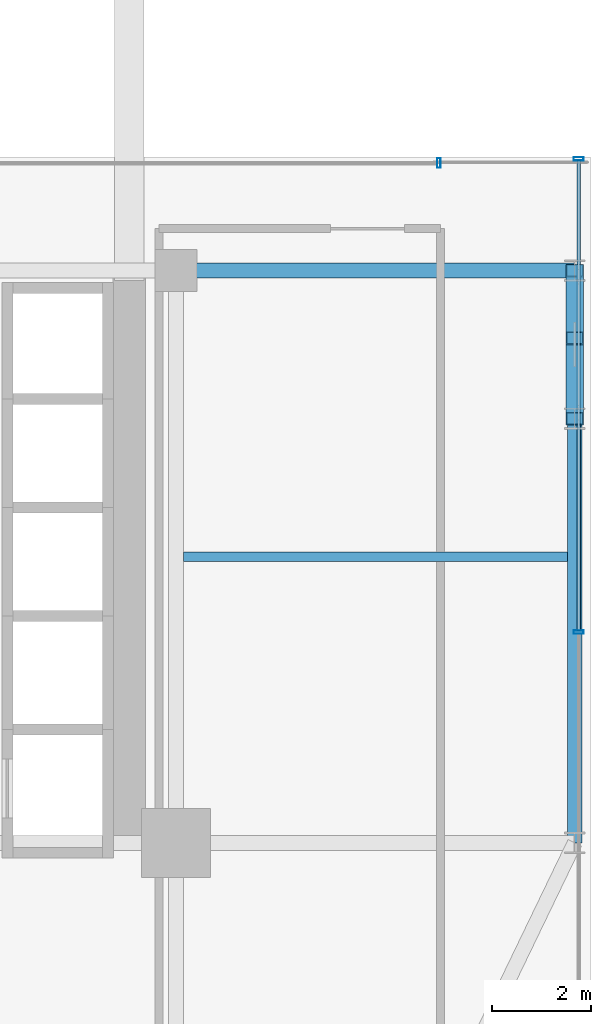
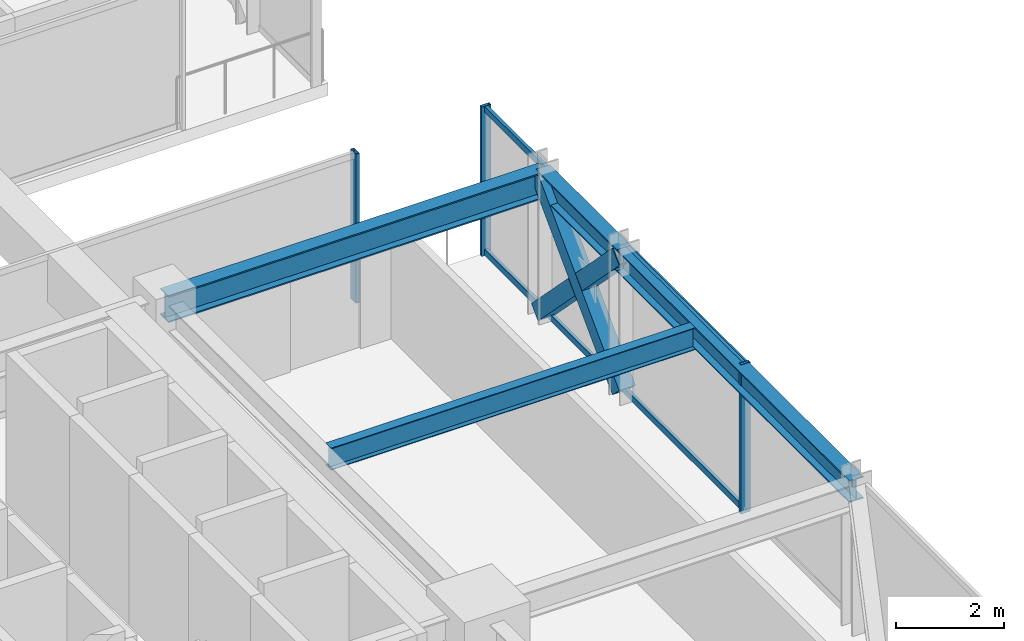
# One storey, part 19 of 38: 8 members, 4 beams, 2 elements without a shape of their own.
"""IFC4 building model written with IfcOpenShell, lengths in metres."""

import ifcopenshell
import ifcopenshell.guid

model = None  # the IFC model being written
_history = None  # IfcOwnerHistory: only IFC2X3 demands one
_inside = {}  # id of a spatial element -> (the spatial element, [elements in it])
_under = {}  # id of a project, library or spatial element -> (it, [spatial elements below it])
_declared = {}  # id of a project -> (the project, [libraries it declares])
_typed = {}  # id of a type object -> (the type object, [elements of that type])
_made_of = {}  # id of a material, layer set ... -> (it, [elements and type objects made of it])


def new_model(schema):
    """Start an empty IFC model of exactly this schema.

    Asked for "IFC4X3", IfcOpenShell would pick the latest addendum, in which some entities
    have other attributes; the version numbers below select the first issue.
    IFC2X3 requires an IfcOwnerHistory on every rooted entity: one is made here for all.
    """
    global model, _history
    if schema == "IFC4X3":
        model = ifcopenshell.file(schema_version=(4, 3, 0, 0))
    else:
        model = ifcopenshell.file(schema=schema)
    _inside.clear()
    _under.clear()
    _declared.clear()
    _typed.clear()
    _made_of.clear()
    _history = None
    if model.schema == "IFC2X3":
        org = make("IfcOrganization", Name="unknown")
        user = make(
            "IfcPersonAndOrganization",
            ThePerson=make("IfcPerson", FamilyName="unknown"),
            TheOrganization=org,
        )
        app = make(
            "IfcApplication",
            ApplicationDeveloper=org,
            Version="unknown",
            ApplicationFullName="unknown",
            ApplicationIdentifier="unknown",
        )
        _history = make(
            "IfcOwnerHistory",
            OwningUser=user,
            OwningApplication=app,
            ChangeAction="ADDED",
            CreationDate=0,
        )
    return model


def make(cls, **values):
    """One entity of the class cls with the attributes given. An attribute that is None is left unset."""
    return model.create_entity(
        cls, **{name: value for name, value in values.items() if value is not None}
    )


def rooted(cls, **values):
    """An entity with a GlobalId (a new one), such as an element, a storey or a relation."""
    return make(cls, GlobalId=ifcopenshell.guid.new(), OwnerHistory=_history, **values)


def si_unit(unit_type, name, prefix=None):
    """IfcSIUnit, for example si_unit("LENGTHUNIT", "METRE", prefix="MILLI")."""
    return make("IfcSIUnit", UnitType=unit_type, Prefix=prefix, Name=name)


def assignment(units):
    """IfcUnitAssignment: the units of a project."""
    return None if units is None else make("IfcUnitAssignment", Units=units)


def point(xyz):
    """IfcCartesianPoint."""
    return None if xyz is None else make("IfcCartesianPoint", Coordinates=xyz)


def direction(xyz):
    """IfcDirection."""
    return None if xyz is None else make("IfcDirection", DirectionRatios=xyz)


def frame(location, z_axis=None, x_axis=None):
    """IfcAxis2Placement3D, a coordinate frame: its origin and axes. An axis left out is left unset."""
    return make(
        "IfcAxis2Placement3D",
        Location=point(location),
        Axis=direction(z_axis),
        RefDirection=direction(x_axis),
    )


def frame_2d(location, x_axis=None):
    """IfcAxis2Placement2D, a coordinate frame in the plane: its origin and x axis."""
    return make(
        "IfcAxis2Placement2D", Location=point(location), RefDirection=direction(x_axis)
    )


def origin():
    """The frame at (0, 0, 0) with its axes left unset."""
    return frame((0.0, 0.0, 0.0))


def origin_2d():
    """The frame at (0, 0) in the plane with its x axis left unset."""
    return frame_2d((0.0, 0.0))


def place(relative_to, where):
    """IfcLocalPlacement: puts the frame where relative to a parent placement (None: the world)."""
    return make(
        "IfcLocalPlacement", PlacementRelTo=relative_to, RelativePlacement=where
    )


def context(
    kind, dimensions, precision=None, world=None, true_north=None, identifier=None
):
    """IfcGeometricRepresentationContext, for example the 3D "Model" context."""
    return make(
        "IfcGeometricRepresentationContext",
        ContextIdentifier=identifier,
        ContextType=kind,
        CoordinateSpaceDimension=dimensions,
        Precision=precision,
        WorldCoordinateSystem=world,
        TrueNorth=true_north,
    )


def subcontext(parent, identifier, kind, view, scale=None):
    """IfcGeometricRepresentationSubContext, for example "Body" below "Model"."""
    return make(
        "IfcGeometricRepresentationSubContext",
        ContextIdentifier=identifier,
        ContextType=kind,
        ParentContext=parent,
        TargetScale=scale,
        TargetView=view,
    )


def project(units=None, contexts=None):
    """IfcProject with its units and contexts."""
    return rooted(
        "IfcProject",
        Name="project",
        RepresentationContexts=contexts,
        UnitsInContext=assignment(units),
    )


def spatial(cls, under=None, at=None, **own):
    """A site, building, storey or space (cls), placed at a placement, below another one or the project."""
    s = rooted(cls, ObjectPlacement=at, **own)
    if under is not None:
        _under.setdefault(under.id(), (under, []))[1].append(s)
    return s


def profile(cls, at=None, kind="AREA", **sizes):
    """A parametric profile (cls). Its sizes go by their IFC names, for example OverallWidth=200.0."""
    return make(cls, ProfileType=kind, Position=at, **sizes)


def hollow_rectangle(**sizes):
    """IfcRectangleHollowProfileDef."""
    return profile("IfcRectangleHollowProfileDef", **sizes)


def i_section(**sizes):
    """IfcIShapeProfileDef."""
    return profile("IfcIShapeProfileDef", **sizes)


def extrude(swept, where, along, depth):
    """IfcExtrudedAreaSolid: the profile swept, set in the frame where, extruded along a direction by depth."""
    return make(
        "IfcExtrudedAreaSolid",
        SweptArea=swept,
        Position=where,
        ExtrudedDirection=direction(along),
        Depth=depth,
    )


def shape(context_of_items, identifier, shape_type, items):
    """IfcShapeRepresentation: the items that make up one representation, for example the "Body"."""
    return make(
        "IfcShapeRepresentation",
        ContextOfItems=context_of_items,
        RepresentationIdentifier=identifier,
        RepresentationType=shape_type,
        Items=items,
    )


def source(mapping_origin, context_of_items, identifier, shape_type, items):
    """IfcRepresentationMap: a shape defined once, which mapped items show again and again."""
    return make(
        "IfcRepresentationMap",
        MappingOrigin=mapping_origin,
        MappedRepresentation=shape(context_of_items, identifier, shape_type, items),
    )


def transform(
    local_origin,
    x_axis=None,
    y_axis=None,
    z_axis=None,
    scale=None,
    scale2=None,
    scale3=None,
    uniform=True,
):
    """IfcCartesianTransformationOperator3D, or its non-uniform kind. x_axis, y_axis, z_axis: its Axis1, 2, 3."""
    if uniform:
        return make(
            "IfcCartesianTransformationOperator3D",
            Axis1=direction(x_axis),
            Axis2=direction(y_axis),
            LocalOrigin=point(local_origin),
            Scale=scale,
            Axis3=direction(z_axis),
        )
    return make(
        "IfcCartesianTransformationOperator3DnonUniform",
        Axis1=direction(x_axis),
        Axis2=direction(y_axis),
        LocalOrigin=point(local_origin),
        Scale=scale,
        Axis3=direction(z_axis),
        Scale2=scale2,
        Scale3=scale3,
    )


def mapped(mapping_source, mapping_target):
    """IfcMappedItem: shows the shape of a source again, moved by a transform."""
    return make(
        "IfcMappedItem", MappingSource=mapping_source, MappingTarget=mapping_target
    )


def material(Name=None, Category=None):
    """IfcMaterial."""
    return make("IfcMaterial", Name=Name, Category=Category)


def material_profile(
    of_material, cross_section, Name=None, Category=None, Priority=None
):
    """IfcMaterialProfile: a cross section and its material."""
    return make(
        "IfcMaterialProfile",
        Name=Name,
        Material=of_material,
        Profile=cross_section,
        Priority=Priority,
        Category=Category,
    )


def profile_set(profiles, Name=None, composite=None):
    """IfcMaterialProfileSet."""
    return make(
        "IfcMaterialProfileSet",
        Name=Name,
        MaterialProfiles=profiles,
        CompositeProfile=composite,
    )


def made_of(thing, what):
    """Note that an element or type object is made of a material, layer set ...; save() writes the relation."""
    if what is not None:
        _made_of.setdefault(what.id(), (what, []))[1].append(thing)
    return thing


def type_object(cls, material=None, **own):
    """A type object (cls), such as IfcWallType, which elements share."""
    return made_of(rooted(cls, **own), material)


def element(
    cls,
    number,
    at=None,
    inside=None,
    cuts=None,
    type_object=None,
    material=None,
    context=None,
    identifier="Body",
    shape_type=None,
    held_by="IfcProductDefinitionShape",
    body=None,
    shapes=None,
    **own,
):
    """One element of the class cls, such as IfcWall. Its Tag is "e" and its number.

    at: its placement. inside: the storey or other place that contains it. cuts: it is an
    opening in that element (IfcRelVoidsElement). A single representation is given by context,
    identifier, shape_type and body (its items); several are given by shapes. held_by: the class
    of the entity that holds the representations. save() writes the other relations.
    """
    e = rooted(cls, Tag="e%d" % number, ObjectPlacement=at, **own)
    if body is not None:
        shapes = [shape(context, identifier, shape_type, body)]
    if shapes is not None:
        e.Representation = make(held_by, Representations=shapes)
    if inside is not None:
        _inside.setdefault(inside.id(), (inside, []))[1].append(e)
    if cuts is not None:
        rooted(
            "IfcRelVoidsElement", RelatingBuildingElement=cuts, RelatedOpeningElement=e
        )
    if type_object is not None:
        _typed.setdefault(type_object.id(), (type_object, []))[1].append(e)
    return made_of(e, material)


def aggregate(whole, parts):
    """IfcRelAggregates: a whole, such as a stair, and the parts it consists of."""
    return rooted("IfcRelAggregates", RelatingObject=whole, RelatedObjects=parts)


def save(model, path):
    """Write the relations noted so far, then the file.

    IfcRelAggregates (storeys below a building ...), IfcRelContainedInSpatialStructure (elements
    in a storey), IfcRelDefinesByType, IfcRelAssociatesMaterial and IfcRelDeclares: one each for
    every whole, place, type object, material and project.
    """
    for whole, parts in _under.values():
        aggregate(whole, parts)
    for where, things in _inside.values():
        rooted(
            "IfcRelContainedInSpatialStructure",
            RelatedElements=things,
            RelatingStructure=where,
        )
    for kind, things in _typed.values():
        rooted("IfcRelDefinesByType", RelatedObjects=things, RelatingType=kind)
    for what, things in _made_of.values():
        rooted("IfcRelAssociatesMaterial", RelatedObjects=things, RelatingMaterial=what)
    for by, libraries in _declared.values():
        rooted("IfcRelDeclares", RelatingContext=by, RelatedDefinitions=libraries)
    model.write(path)


model = new_model("IFC4")

# Units and contexts
model_context = context("Model", 3, precision=1e-05, world=origin(), true_north=direction((0.0, 1.0)))
body_context = subcontext(model_context, "Body", "Model", "MODEL_VIEW")
ifc_project = project(units=[si_unit("LENGTHUNIT", "METRE"), si_unit("AREAUNIT", "SQUARE_METRE"), si_unit("VOLUMEUNIT", "CUBIC_METRE"), si_unit("PLANEANGLEUNIT", "RADIAN"), si_unit("MASSUNIT", "GRAM", prefix="KILO")], contexts=[model_context])

# Site, building, storey
site_placement = place(None, origin())
site = spatial("IfcSite", under=ifc_project, at=site_placement, CompositionType="ELEMENT")
building_placement = place(site_placement, origin())
building = spatial("IfcBuilding", under=site, at=building_placement, Name="Nahalor Promenade Grand Hotel", CompositionType="ELEMENT")
storey_placement = place(building_placement, frame((0.0, 0.0, 50.64990234375)))
storey = spatial("IfcBuildingStorey", under=building, at=storey_placement, Name="L11", CompositionType="ELEMENT", Elevation=50.64990234375)

# Beams
ifc_material_1 = material(Name="Steel S355JR", Category="steel")
ifc_material_profile_1 = material_profile(ifc_material_1, i_section(OverallWidth=0.3, OverallDepth=0.5, WebThickness=0.0145, FlangeThickness=0.028, at=origin_2d()), Name="HEB 500")
ifc_profile_set_1 = profile_set([ifc_material_profile_1], Name="Steel S355JR")
beam_type_1 = type_object("IfcBeamType", Name="Beam-Spandrel-HEB500", PredefinedType="SPANDREL", material=ifc_profile_set_1)
shared_shape_1 = source(origin(), body_context, "Body", "SweptSolid", [
    extrude(i_section(OverallWidth=0.3, OverallDepth=0.5, WebThickness=0.0145, FlangeThickness=0.028, at=origin_2d()), origin(), (0.0, 0.0, 1.0), 8.60009765625),
])
beam_1_placement = place(storey_placement, frame((25.080078125, -17.0, 3.1201171875), z_axis=(0.0, 1.0, 0.0), x_axis=(-1.0, 0.0, 0.0)))
element("IfcBeam", 1, at=beam_1_placement, inside=storey, type_object=beam_type_1, Name="BM-L11-SP-E-0", PredefinedType="SPANDREL", context=body_context, shape_type="MappedRepresentation", body=[
    mapped(shared_shape_1, transform((0.0, 0.0, 0.0), scale=1.0)),
])
shared_shape_2 = source(origin(), body_context, "Body", "SweptSolid", [
    extrude(i_section(OverallWidth=0.3, OverallDepth=0.5, WebThickness=0.0145, FlangeThickness=0.028, at=origin_2d()), origin(), (0.0, 0.0, 1.0), 3.0),
])
beam_2_placement = place(storey_placement, frame((25.080078125, -8.39990234375, 3.1201171875), z_axis=(0.0, 1.0, 0.0), x_axis=(-1.0, 0.0, 0.0)))
element("IfcBeam", 2, at=beam_2_placement, inside=storey, type_object=beam_type_1, Name="BM-L11-SP-E-1", PredefinedType="SPANDREL", context=body_context, shape_type="MappedRepresentation", body=[
    mapped(shared_shape_2, transform((0.0, 0.0, 0.0), scale=1.0)),
])
ifc_material_profile_2 = material_profile(ifc_material_1, i_section(OverallWidth=0.3, OverallDepth=0.6, WebThickness=0.0155, FlangeThickness=0.03, at=origin_2d()), Name="HEB 600")
ifc_profile_set_2 = profile_set([ifc_material_profile_2], Name="Steel S355JR")
beam_type_2 = type_object("IfcBeamType", Name="Beam-Girder-HEB600", PredefinedType="BEAM", material=ifc_profile_set_2)
shared_shape_3 = source(origin(), body_context, "Body", "SweptSolid", [
    extrude(i_section(OverallWidth=0.3, OverallDepth=0.6, WebThickness=0.0155, FlangeThickness=0.03, at=origin_2d()), origin(), (0.0, 0.0, 1.0), 8.080078125),
])
beam_3_placement = place(storey_placement, frame((17.0, -5.39990234375, 3.070068359375), z_axis=(1.0, 0.0, 0.0), x_axis=(0.0, 1.0, 0.0)))
element("IfcBeam", 3, at=beam_3_placement, inside=storey, type_object=beam_type_2, Name="BM-L11-GX-1-6", PredefinedType="BEAM", context=body_context, shape_type="MappedRepresentation", body=[
    mapped(shared_shape_3, transform((0.0, 0.0, 0.0), scale=1.0)),
])
ifc_material_profile_3 = material_profile(ifc_material_1, i_section(OverallWidth=0.2, OverallDepth=0.5, WebThickness=0.0102, FlangeThickness=0.016, at=origin_2d()), Name="IPE 500")
ifc_profile_set_3 = profile_set([ifc_material_profile_3], Name="Steel S355JR")
beam_type_3 = type_object("IfcBeamType", Name="Beam-Joist-IPE500", PredefinedType="JOIST", material=ifc_profile_set_3)
shared_shape_4 = source(origin(), body_context, "Body", "SweptSolid", [
    extrude(i_section(OverallWidth=0.2, OverallDepth=0.5, WebThickness=0.0102, FlangeThickness=0.016, at=origin_2d()), origin(), (0.0, 0.0, 1.0), 7.780029296875),
])
beam_4_placement = place(storey_placement, frame((17.14990234375, -11.199951171875, 3.1201171875), z_axis=(1.0, 0.0, 0.0), x_axis=(0.0, 1.0, 0.0)))
element("IfcBeam", 4, at=beam_4_placement, inside=storey, type_object=beam_type_3, Name="BM-L11-JSE-0-2", PredefinedType="JOIST", context=body_context, shape_type="MappedRepresentation", body=[
    mapped(shared_shape_4, transform((0.0, 0.0, 0.0), scale=1.0)),
])

# Members
ifc_material_profile_4 = material_profile(ifc_material_1, hollow_rectangle(XDim=0.35, YDim=0.35, WallThickness=0.02, at=origin_2d()), Name="SHS 350x350x20")
ifc_profile_set_4 = profile_set([ifc_material_profile_4], Name="Steel S355JR")
member_type_1 = type_object("IfcMemberType", Name="Mem-VoidBrace-SHS350", PredefinedType="BRACE", material=ifc_profile_set_4)
shared_shape_5 = source(origin(), body_context, "Body", "SweptSolid", [
    extrude(hollow_rectangle(XDim=0.35, YDim=0.35, WallThickness=0.02, at=origin_2d()), origin(), (0.0, 0.0, 1.0), 4.29248046875),
])
member_1_placement = place(storey_placement, frame((25.080078125, -8.39990234375, 0.150146484375), z_axis=(0.0, 0.698897904453, 0.715221447631), x_axis=(-1.0, 0.0, 0.0)))
element("IfcMember", 5, at=member_1_placement, inside=storey, type_object=member_type_1, Name="EXO-L11-VX1-E0", PredefinedType="BRACE", context=body_context, shape_type="MappedRepresentation", body=[
    mapped(shared_shape_5, transform((0.0, 0.0, 0.0), scale=1.0)),
])
shared_shape_6 = source(origin(), body_context, "Body", "SweptSolid", [
    extrude(hollow_rectangle(XDim=0.35, YDim=0.35, WallThickness=0.02, at=origin_2d()), origin(), (0.0, 0.0, 1.0), 1.959228515625),
])
for number, where, z_axis, x_axis, name in (
    (6, (25.080078125, -5.39990234375, 0.150146484375), (0.0, -0.698960471031, 0.715160303663), (1.0, 0.0, 0.0), "EXO-L11-VX2-E0A"),
    (7, (25.080078125, -7.03076171875, 1.81884765625), (0.0, -0.698834435327, 0.715283462692), (1.0, 0.0, 0.0), "EXO-L11-VX2-E0B"),
):
    element("IfcMember", number, at=place(storey_placement, frame(where, z_axis=z_axis, x_axis=x_axis)), inside=storey, type_object=member_type_1, Name=name, PredefinedType="BRACE", context=body_context, shape_type="MappedRepresentation", body=[
        mapped(shared_shape_6, transform((0.0, 0.0, 0.0), scale=1.0)),
    ])

# Curtain wall, members
ifc_material_2 = material(Name="Anodised Bronze Aluminium EN AW-6063 T6", Category="aluminium")
curtain_wall_type = type_object("IfcCurtainWallType", Name="CW3 Elliptical-Void Collar Unitised Curtain Wall", PredefinedType="USERDEFINED", material=ifc_material_2)
curtain_wall_1_placement = place(storey_placement, origin())
curtain_wall_1 = element("IfcCurtainWall", 8, at=curtain_wall_1_placement, inside=storey, type_object=curtain_wall_type, Name="L11 Curtain Wall CW-L11-E-1", ObjectType="UNITISED_CURTAIN_WALL", PredefinedType="USERDEFINED")
ifc_material_profile_5 = material_profile(ifc_material_2, hollow_rectangle(XDim=0.07, YDim=0.2, WallThickness=0.005, at=origin_2d()), Name="CWM 70x200x5")
ifc_profile_set_5 = profile_set([ifc_material_profile_5], Name="Anodised Bronze Aluminium EN AW-6063 T6")
member_type_2 = type_object("IfcMemberType", Name="CWM3 Void Collar Mullion 70x200", PredefinedType="MULLION", material=ifc_profile_set_5)
shared_shape_7 = source(origin(), body_context, "Body", "SweptSolid", [
    extrude(hollow_rectangle(XDim=0.07, YDim=0.2, WallThickness=0.005, at=origin_2d()), origin(), (0.0, 0.0, 1.0), 3.3701171875),
])
member_2_placement = place(storey_placement, frame((25.159912109375, -12.72998046875, 0.0), z_axis=(0.0, 0.0, 1.0), x_axis=(0.0, 1.0, 0.0)))
member_2 = element("IfcMember", 9, at=member_2_placement, type_object=member_type_2, Name="CW-L11-E-1 Mullion 1", PredefinedType="MULLION", context=body_context, shape_type="MappedRepresentation", body=[
    mapped(shared_shape_7, transform((0.0, 0.0, 0.0), scale=1.0)),
])
member_3_placement = place(storey_placement, frame((25.159912109375, -3.135009765625, 0.0), z_axis=(0.0, 0.0, 1.0), x_axis=(0.0, 1.0, 0.0)))
member_3 = element("IfcMember", 10, at=member_3_placement, type_object=member_type_2, Name="CW-L11-E-1 Mullion 2", PredefinedType="MULLION", context=body_context, shape_type="MappedRepresentation", body=[
    mapped(shared_shape_7, transform((0.0, 0.0, 0.0), scale=1.0)),
])

# Curtain wall, member
curtain_wall_2_placement = place(storey_placement, origin())
curtain_wall_2 = element("IfcCurtainWall", 11, at=curtain_wall_2_placement, inside=storey, type_object=curtain_wall_type, Name="L11 Curtain Wall CW-L11-VOID-ES1", ObjectType="UNITISED_CURTAIN_WALL", PredefinedType="USERDEFINED")
member_4_placement = place(storey_placement, frame((22.324951171875, -3.219970703125, 0.0), z_axis=(0.0, 0.0, 1.0), x_axis=(1.0, 0.0, 0.0)))
member_4 = element("IfcMember", 12, at=member_4_placement, type_object=member_type_2, Name="CW-L11-VOID-ES1 Mullion 1", PredefinedType="MULLION", context=body_context, shape_type="MappedRepresentation", body=[
    mapped(shared_shape_7, transform((0.0, 0.0, 0.0), scale=1.0)),
])
aggregate(curtain_wall_2, [member_4])

# Member
ifc_material_profile_6 = material_profile(ifc_material_2, hollow_rectangle(XDim=0.07, YDim=0.14, WallThickness=0.004, at=origin_2d()), Name="CWT 70x140x4")
ifc_profile_set_6 = profile_set([ifc_material_profile_6], Name="Anodised Bronze Aluminium EN AW-6063 T6")
member_type_3 = type_object("IfcMemberType", Name="CWT3 Void Collar Transom 70x140", PredefinedType="USERDEFINED", material=ifc_profile_set_6)
shared_shape_8 = source(origin(), body_context, "Body", "SweptSolid", [
    extrude(hollow_rectangle(XDim=0.07, YDim=0.14, WallThickness=0.004, at=origin_2d()), origin(), (0.0, 0.0, 1.0), 9.525146484375),
])
member_5_placement = place(storey_placement, frame((25.159912109375, -12.695068359375, 0.070068359375), z_axis=(0.0, 1.0, 0.0), x_axis=(-1.0, 0.0, 0.0)))
member_5 = element("IfcMember", 13, at=member_5_placement, type_object=member_type_3, Name="CW-L11-E-1 Transom 1-0", ObjectType="TRANSOM", PredefinedType="USERDEFINED", context=body_context, shape_type="MappedRepresentation", body=[
    mapped(shared_shape_8, transform((0.0, 0.0, 0.0), scale=1.0)),
])

member_6_placement = place(storey_placement, frame((25.159912109375, -12.695068359375, 3.300048828125), z_axis=(0.0, 1.0, 0.0), x_axis=(-1.0, 0.0, 0.0)))
member_6 = element("IfcMember", 14, at=member_6_placement, type_object=member_type_3, Name="CW-L11-E-1 Transom 1-1", ObjectType="TRANSOM", PredefinedType="USERDEFINED", context=body_context, shape_type="MappedRepresentation", body=[
    mapped(shared_shape_8, transform((0.0, 0.0, 0.0), scale=1.0)),
])

aggregate(curtain_wall_1, [member_2, member_3, member_5, member_6])

save(model, "model.ifc")
